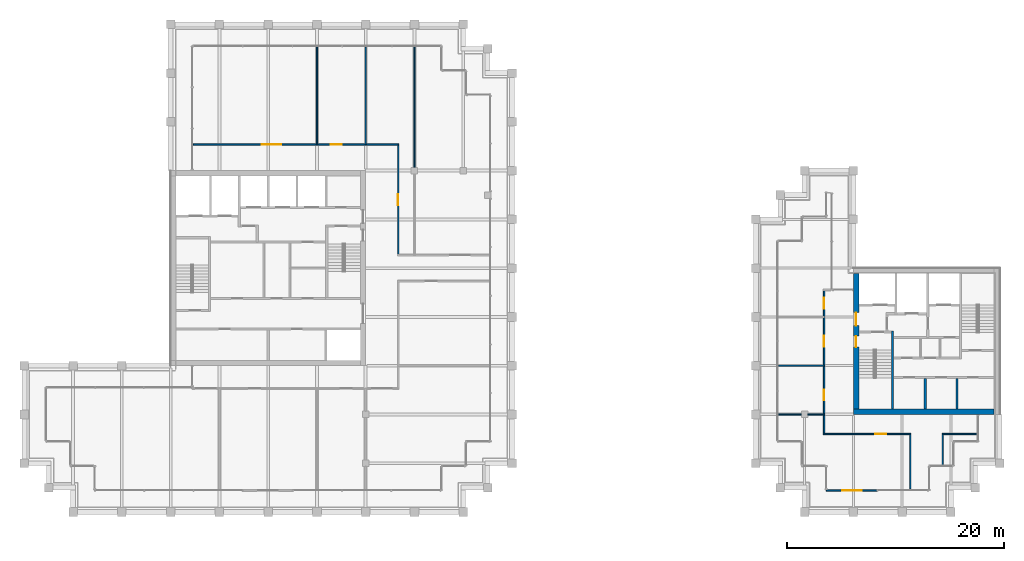
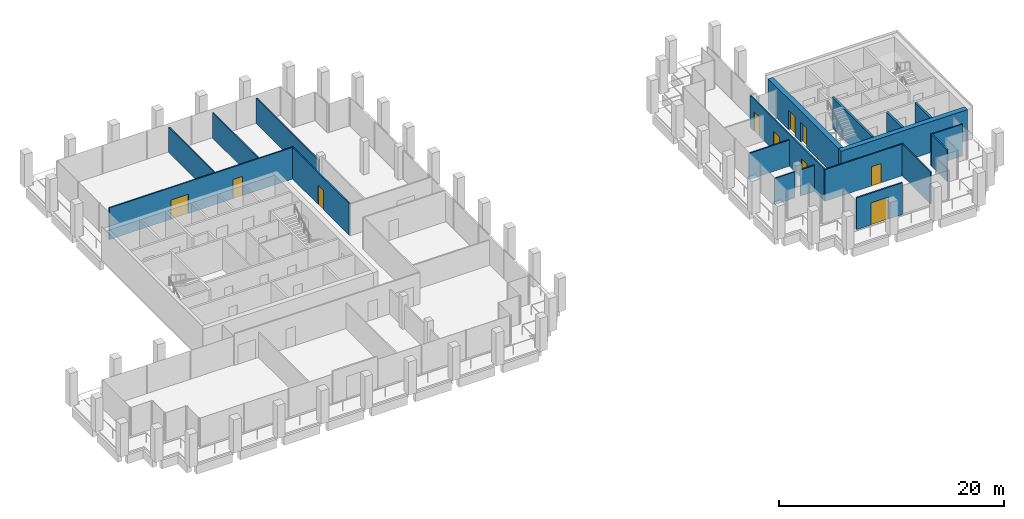
# One storey, part 37 of 40: 19 walls, 10 doors, 10 openings.
"""IFC4 building model written with IfcOpenShell, lengths in metres."""

import ifcopenshell
import ifcopenshell.guid

model = None  # the IFC model being written
_history = None  # IfcOwnerHistory: only IFC2X3 demands one
_inside = {}  # id of a spatial element -> (the spatial element, [elements in it])
_under = {}  # id of a project, library or spatial element -> (it, [spatial elements below it])
_declared = {}  # id of a project -> (the project, [libraries it declares])
_typed = {}  # id of a type object -> (the type object, [elements of that type])
_made_of = {}  # id of a material, layer set ... -> (it, [elements and type objects made of it])


def new_model(schema):
    """Start an empty IFC model of exactly this schema.

    Asked for "IFC4X3", IfcOpenShell would pick the latest addendum, in which some entities
    have other attributes; the version numbers below select the first issue.
    IFC2X3 requires an IfcOwnerHistory on every rooted entity: one is made here for all.
    """
    global model, _history
    if schema == "IFC4X3":
        model = ifcopenshell.file(schema_version=(4, 3, 0, 0))
    else:
        model = ifcopenshell.file(schema=schema)
    _inside.clear()
    _under.clear()
    _declared.clear()
    _typed.clear()
    _made_of.clear()
    _history = None
    if model.schema == "IFC2X3":
        org = make("IfcOrganization", Name="unknown")
        user = make(
            "IfcPersonAndOrganization",
            ThePerson=make("IfcPerson", FamilyName="unknown"),
            TheOrganization=org,
        )
        app = make(
            "IfcApplication",
            ApplicationDeveloper=org,
            Version="unknown",
            ApplicationFullName="unknown",
            ApplicationIdentifier="unknown",
        )
        _history = make(
            "IfcOwnerHistory",
            OwningUser=user,
            OwningApplication=app,
            ChangeAction="ADDED",
            CreationDate=0,
        )
    return model


def make(cls, **values):
    """One entity of the class cls with the attributes given. An attribute that is None is left unset."""
    return model.create_entity(
        cls, **{name: value for name, value in values.items() if value is not None}
    )


def rooted(cls, **values):
    """An entity with a GlobalId (a new one), such as an element, a storey or a relation."""
    return make(cls, GlobalId=ifcopenshell.guid.new(), OwnerHistory=_history, **values)


def si_unit(unit_type, name, prefix=None):
    """IfcSIUnit, for example si_unit("LENGTHUNIT", "METRE", prefix="MILLI")."""
    return make("IfcSIUnit", UnitType=unit_type, Prefix=prefix, Name=name)


def assignment(units):
    """IfcUnitAssignment: the units of a project."""
    return None if units is None else make("IfcUnitAssignment", Units=units)


def point(xyz):
    """IfcCartesianPoint."""
    return None if xyz is None else make("IfcCartesianPoint", Coordinates=xyz)


def direction(xyz):
    """IfcDirection."""
    return None if xyz is None else make("IfcDirection", DirectionRatios=xyz)


def frame(location, z_axis=None, x_axis=None):
    """IfcAxis2Placement3D, a coordinate frame: its origin and axes. An axis left out is left unset."""
    return make(
        "IfcAxis2Placement3D",
        Location=point(location),
        Axis=direction(z_axis),
        RefDirection=direction(x_axis),
    )


def frame_2d(location, x_axis=None):
    """IfcAxis2Placement2D, a coordinate frame in the plane: its origin and x axis."""
    return make(
        "IfcAxis2Placement2D", Location=point(location), RefDirection=direction(x_axis)
    )


def origin():
    """The frame at (0, 0, 0) with its axes left unset."""
    return frame((0.0, 0.0, 0.0))


def place(relative_to, where):
    """IfcLocalPlacement: puts the frame where relative to a parent placement (None: the world)."""
    return make(
        "IfcLocalPlacement", PlacementRelTo=relative_to, RelativePlacement=where
    )


def context(
    kind, dimensions, precision=None, world=None, true_north=None, identifier=None
):
    """IfcGeometricRepresentationContext, for example the 3D "Model" context."""
    return make(
        "IfcGeometricRepresentationContext",
        ContextIdentifier=identifier,
        ContextType=kind,
        CoordinateSpaceDimension=dimensions,
        Precision=precision,
        WorldCoordinateSystem=world,
        TrueNorth=true_north,
    )


def subcontext(parent, identifier, kind, view, scale=None):
    """IfcGeometricRepresentationSubContext, for example "Body" below "Model"."""
    return make(
        "IfcGeometricRepresentationSubContext",
        ContextIdentifier=identifier,
        ContextType=kind,
        ParentContext=parent,
        TargetScale=scale,
        TargetView=view,
    )


def project(units=None, contexts=None):
    """IfcProject with its units and contexts."""
    return rooted(
        "IfcProject",
        Name="project",
        RepresentationContexts=contexts,
        UnitsInContext=assignment(units),
    )


def spatial(cls, under=None, at=None, **own):
    """A site, building, storey or space (cls), placed at a placement, below another one or the project."""
    s = rooted(cls, ObjectPlacement=at, **own)
    if under is not None:
        _under.setdefault(under.id(), (under, []))[1].append(s)
    return s


def profile(cls, at=None, kind="AREA", **sizes):
    """A parametric profile (cls). Its sizes go by their IFC names, for example OverallWidth=200.0."""
    return make(cls, ProfileType=kind, Position=at, **sizes)


def rectangle(**sizes):
    """IfcRectangleProfileDef."""
    return profile("IfcRectangleProfileDef", **sizes)


def extrude(swept, where, along, depth):
    """IfcExtrudedAreaSolid: the profile swept, set in the frame where, extruded along a direction by depth."""
    return make(
        "IfcExtrudedAreaSolid",
        SweptArea=swept,
        Position=where,
        ExtrudedDirection=direction(along),
        Depth=depth,
    )


def shape(context_of_items, identifier, shape_type, items):
    """IfcShapeRepresentation: the items that make up one representation, for example the "Body"."""
    return make(
        "IfcShapeRepresentation",
        ContextOfItems=context_of_items,
        RepresentationIdentifier=identifier,
        RepresentationType=shape_type,
        Items=items,
    )


def material(Name=None, Category=None):
    """IfcMaterial."""
    return make("IfcMaterial", Name=Name, Category=Category)


def layer(
    of_material, thickness, ventilated=None, Name=None, Category=None, Priority=None
):
    """IfcMaterialLayer: one layer of a wall or slab, of a material (None: an air gap)."""
    return make(
        "IfcMaterialLayer",
        Material=of_material,
        LayerThickness=thickness,
        IsVentilated=ventilated,
        Name=Name,
        Category=Category,
        Priority=Priority,
    )


def layer_set(layers, Name=None):
    """IfcMaterialLayerSet."""
    return make("IfcMaterialLayerSet", MaterialLayers=layers, LayerSetName=Name)


def made_of(thing, what):
    """Note that an element or type object is made of a material, layer set ...; save() writes the relation."""
    if what is not None:
        _made_of.setdefault(what.id(), (what, []))[1].append(thing)
    return thing


def type_object(cls, material=None, **own):
    """A type object (cls), such as IfcWallType, which elements share."""
    return made_of(rooted(cls, **own), material)


def element(
    cls,
    number,
    at=None,
    inside=None,
    cuts=None,
    type_object=None,
    material=None,
    context=None,
    identifier="Body",
    shape_type=None,
    held_by="IfcProductDefinitionShape",
    body=None,
    shapes=None,
    **own,
):
    """One element of the class cls, such as IfcWall. Its Tag is "e" and its number.

    at: its placement. inside: the storey or other place that contains it. cuts: it is an
    opening in that element (IfcRelVoidsElement). A single representation is given by context,
    identifier, shape_type and body (its items); several are given by shapes. held_by: the class
    of the entity that holds the representations. save() writes the other relations.
    """
    e = rooted(cls, Tag="e%d" % number, ObjectPlacement=at, **own)
    if body is not None:
        shapes = [shape(context, identifier, shape_type, body)]
    if shapes is not None:
        e.Representation = make(held_by, Representations=shapes)
    if inside is not None:
        _inside.setdefault(inside.id(), (inside, []))[1].append(e)
    if cuts is not None:
        rooted(
            "IfcRelVoidsElement", RelatingBuildingElement=cuts, RelatedOpeningElement=e
        )
    if type_object is not None:
        _typed.setdefault(type_object.id(), (type_object, []))[1].append(e)
    return made_of(e, material)


def fill(opening, filler):
    """IfcRelFillsElement: the door or window that sits in an opening."""
    return rooted(
        "IfcRelFillsElement",
        RelatingOpeningElement=opening,
        RelatedBuildingElement=filler,
    )


def aggregate(whole, parts):
    """IfcRelAggregates: a whole, such as a stair, and the parts it consists of."""
    return rooted("IfcRelAggregates", RelatingObject=whole, RelatedObjects=parts)


def save(model, path):
    """Write the relations noted so far, then the file.

    IfcRelAggregates (storeys below a building ...), IfcRelContainedInSpatialStructure (elements
    in a storey), IfcRelDefinesByType, IfcRelAssociatesMaterial and IfcRelDeclares: one each for
    every whole, place, type object, material and project.
    """
    for whole, parts in _under.values():
        aggregate(whole, parts)
    for where, things in _inside.values():
        rooted(
            "IfcRelContainedInSpatialStructure",
            RelatedElements=things,
            RelatingStructure=where,
        )
    for kind, things in _typed.values():
        rooted("IfcRelDefinesByType", RelatedObjects=things, RelatingType=kind)
    for what, things in _made_of.values():
        rooted("IfcRelAssociatesMaterial", RelatedObjects=things, RelatingMaterial=what)
    for by, libraries in _declared.values():
        rooted("IfcRelDeclares", RelatingContext=by, RelatedDefinitions=libraries)
    model.write(path)


model = new_model("IFC4")

# Units and contexts
model_context = context("Model", 3, precision=1e-05, world=origin(), true_north=direction((0.0, 1.0)))
body_context = subcontext(model_context, "Body", "Model", "MODEL_VIEW")
ifc_project = project(units=[si_unit("LENGTHUNIT", "METRE"), si_unit("AREAUNIT", "SQUARE_METRE"), si_unit("VOLUMEUNIT", "CUBIC_METRE"), si_unit("PLANEANGLEUNIT", "RADIAN"), si_unit("MASSUNIT", "GRAM", prefix="KILO")], contexts=[model_context])

# Site, building, storey
site_placement = place(None, origin())
site = spatial("IfcSite", under=ifc_project, at=site_placement, CompositionType="ELEMENT")
building_placement = place(site_placement, origin())
building = spatial("IfcBuilding", under=site, at=building_placement, Name="Altepetl Exchange Towers", CompositionType="ELEMENT")
storey_placement = place(building_placement, frame((0.0, 0.0, 202.800048828125)))
storey = spatial("IfcBuildingStorey", under=building, at=storey_placement, Name="L51", CompositionType="ELEMENT", Elevation=202.800048828125)

# Wall
ifc_material_1 = material(Name="Concrete C70/85", Category="concrete")
ifc_layer_1 = layer(ifc_material_1, 0.5)
ifc_layer_set_1 = layer_set([ifc_layer_1], Name="Concrete C70/85")
wall_type_1 = type_object("IfcWallType", Name="Core wall 500 reinforced concrete", PredefinedType="SHEAR", material=ifc_layer_set_1)
wall_1_placement = place(storey_placement, frame((103.5, 36.25, 0.0)))
element("IfcWall", 1, at=wall_1_placement, inside=storey, type_object=wall_type_1, Name="wall:B:L51:K-coreS", PredefinedType="SHEAR", context=body_context, shape_type="SweptSolid", body=[
    extrude(rectangle(XDim=13.0, YDim=0.5, at=frame_2d((6.5, 0.0))), origin(), (0.0, 0.0, 1.0), 3.349853515625),
])

# Wall, openings, doors
wall_2_placement = place(storey_placement, frame((103.75, 36.5, 0.0), z_axis=(0.0, 0.0, 1.0), x_axis=(0.0, 1.0, 0.0)))
wall_2 = element("IfcWall", 2, at=wall_2_placement, inside=storey, type_object=wall_type_1, Name="wall:B:L51:K-coreW", PredefinedType="SHEAR", context=body_context, shape_type="SweptSolid", body=[
    extrude(rectangle(XDim=12.5, YDim=0.5, at=frame_2d((6.25, 0.0))), origin(), (0.0, 0.0, 1.0), 3.349853515625),
])
opening_1_placement = place(wall_2_placement, frame((7.699951171875, 0.0, 0.0)))
opening_1 = element("IfcOpeningElement", 3, at=opening_1_placement, cuts=wall_2, Name="Opening L51.B60", PredefinedType="OPENING", context=body_context, shape_type="SweptSolid", body=[
    extrude(rectangle(XDim=1.199951171875, YDim=2.10009765625, at=frame_2d((0.60009765625, 1.050048828125))), frame((0.0, 0.260009765625, 0.0), z_axis=(0.0, -1.0, 0.0), x_axis=(1.0, 0.0, 0.0)), (0.0, 0.0, 1.0), 0.52001953125),
])
opening_2_placement = place(wall_2_placement, frame((5.72509765625, 0.0, 0.0)))
opening_2 = element("IfcOpeningElement", 4, at=opening_2_placement, cuts=wall_2, Name="Opening L51.B62", PredefinedType="OPENING", context=body_context, shape_type="SweptSolid", body=[
    extrude(rectangle(XDim=1.0, YDim=2.10009765625, at=frame_2d((0.5, 1.050048828125))), frame((0.0, 0.260009765625, 0.0), z_axis=(0.0, -1.0, 0.0), x_axis=(1.0, 0.0, 0.0)), (0.0, 0.0, 1.0), 0.52001953125),
])
ifc_material_2 = material(Name="Steel and timber fire door", Category="steel")
door_type_1 = type_object("IfcDoorType", Name="Fire door 1000 x 2100 stair and lobby", OperationType="SINGLE_SWING_LEFT", PredefinedType="DOOR", material=ifc_material_2)
door_1_placement = place(opening_2_placement, frame((1.0, 0.0, 0.0), x_axis=(-1.0, 0.0, 0.0)))
door_1 = element("IfcDoor", 5, at=door_1_placement, inside=storey, type_object=door_type_1, Name="door:B:L51:K-dS1x", OperationType="SINGLE_SWING_RIGHT", OverallHeight=2.10009765625, OverallWidth=1.0, PredefinedType="DOOR", context=body_context, shape_type="SweptSolid", body=[
    extrude(rectangle(XDim=1.0, YDim=2.10009765625, at=frame_2d((0.5, 1.050048828125))), frame((0.0, 0.02490234375, 0.0), z_axis=(0.0, -1.0, 0.0), x_axis=(1.0, 0.0, 0.0)), (0.0, 0.0, 1.0), 0.050048828125),
])
fill(opening_2, door_1)
door_type_2 = type_object("IfcDoorType", Name="Fire door 1200 x 2100 lobby entry", OperationType="SINGLE_SWING_LEFT", PredefinedType="DOOR", material=ifc_material_2)
door_2_placement = place(opening_1_placement, frame((1.199951171875, 0.0, 0.0), x_axis=(-1.0, 0.0, 0.0)))
door_2 = element("IfcDoor", 6, at=door_2_placement, inside=storey, type_object=door_type_2, Name="door:B:L51:K-dLNW", OperationType="SINGLE_SWING_RIGHT", OverallHeight=2.10009765625, OverallWidth=1.199951171875, PredefinedType="DOOR", context=body_context, shape_type="SweptSolid", body=[
    extrude(rectangle(XDim=1.199951171875, YDim=2.10009765625, at=frame_2d((0.60009765625, 1.050048828125))), frame((0.0, 0.02490234375, 0.0), z_axis=(0.0, -1.0, 0.0), x_axis=(1.0, 0.0, 0.0)), (0.0, 0.0, 1.0), 0.050048828125),
])
fill(opening_1, door_2)

# Wall, opening, door
ifc_material_3 = material(Name="Aluminium composite cladding", Category="aluminium")
ifc_layer_2 = layer(ifc_material_3, 0.14990234375)
ifc_layer_set_2 = layer_set([ifc_layer_2], Name="Aluminium composite cladding")
wall_type_2 = type_object("IfcWallType", Name="Infill wall 150 aluminium panel", PredefinedType="SOLIDWALL", material=ifc_layer_set_2)
wall_3_placement = place(storey_placement, frame((101.0, 29.0, 0.0)))
wall_3 = element("IfcWall", 7, at=wall_3_placement, inside=storey, type_object=wall_type_2, Name="Loggia door bay wall", PredefinedType="SOLIDWALL", context=body_context, shape_type="SweptSolid", body=[
    extrude(rectangle(XDim=4.71240234375, YDim=0.14990234375, at=frame_2d((2.356201171875, 0.0))), origin(), (0.0, 0.0, 1.0), 3.449951171875),
])
opening_3_placement = place(wall_3_placement, frame((1.456298828125, 0.0, 0.0)))
opening_3 = element("IfcOpeningElement", 8, at=opening_3_placement, cuts=wall_3, Name="Opening L51.B90", PredefinedType="OPENING", context=body_context, shape_type="SweptSolid", body=[
    extrude(rectangle(XDim=1.800048828125, YDim=2.39990234375, at=frame_2d((0.89990234375, 1.199951171875))), frame((0.0, 0.0849609375, 0.0), z_axis=(0.0, -1.0, 0.0), x_axis=(1.0, 0.0, 0.0)), (0.0, 0.0, 1.0), 0.169921875),
])
ifc_material_4 = material(Name="Aluminium 6063-T6 and glass", Category="aluminium")
door_type_3 = type_object("IfcDoorType", Name="Glazed door pair 1800x2400", OperationType="DOUBLE_DOOR_DOUBLE_SWING", PredefinedType="NOTDEFINED", material=ifc_material_4)
door_3_placement = place(opening_3_placement, frame((1.800048828125, 0.0, 0.0), x_axis=(-1.0, 0.0, 0.0)))
door_3 = element("IfcDoor", 9, at=door_3_placement, inside=storey, type_object=door_type_3, Name="Loggia door", OperationType="DOUBLE_DOOR_DOUBLE_SWING", OverallHeight=2.39990234375, OverallWidth=1.800048828125, PredefinedType="NOTDEFINED", context=body_context, shape_type="SweptSolid", body=[
    extrude(rectangle(XDim=1.800048828125, YDim=2.39990234375, at=frame_2d((0.89990234375, 1.199951171875))), frame((0.0, 0.02490234375, 0.0), z_axis=(0.0, -1.0, 0.0), x_axis=(1.0, 0.0, 0.0)), (0.0, 0.0, 1.0), 0.050048828125),
])
fill(opening_3, door_3)

# Wall, openings, doors
ifc_material_5 = material(Name="Gypsum board on steel studs", Category="steel")
ifc_layer_3 = layer(ifc_material_5, 0.125)
ifc_layer_set_3 = layer_set([ifc_layer_3], Name="Gypsum board on steel studs")
wall_type_3 = type_object("IfcWallType", Name="Partition 125 gypsum board on steel studs", PredefinedType="PARTITIONING", material=ifc_layer_set_3)
wall_4_placement = place(storey_placement, frame((42.60009765625, 60.89990234375, 0.0)))
wall_4 = element("IfcWall", 10, at=wall_4_placement, inside=storey, type_object=wall_type_3, Name="wall:A:L51:P05", PredefinedType="PARTITIONING", context=body_context, shape_type="SweptSolid", body=[
    extrude(rectangle(XDim=18.96240234375, YDim=0.125, at=frame_2d((9.481201171875, 0.0))), origin(), (0.0, 0.0, 1.0), 3.449951171875),
])
opening_4_placement = place(wall_4_placement, frame((12.695068359375, 0.0, 0.0)))
opening_4 = element("IfcOpeningElement", 11, at=opening_4_placement, cuts=wall_4, Name="Opening L51.A08", PredefinedType="OPENING", context=body_context, shape_type="SweptSolid", body=[
    extrude(rectangle(XDim=1.0, YDim=2.10009765625, at=frame_2d((0.5, 1.050048828125))), frame((0.0, 0.072509765625, 0.0), z_axis=(0.0, -1.0, 0.0), x_axis=(1.0, 0.0, 0.0)), (0.0, 0.0, 1.0), 0.14501953125),
])
opening_5_placement = place(wall_4_placement, frame((6.322021484375, 0.0, 0.0)))
opening_5 = element("IfcOpeningElement", 12, at=opening_5_placement, cuts=wall_4, Name="Opening L51.A09", PredefinedType="OPENING", context=body_context, shape_type="SweptSolid", body=[
    extrude(rectangle(XDim=1.800048828125, YDim=2.10009765625, at=frame_2d((0.89990234375, 1.050048828125))), frame((0.0, 0.072509765625, 0.0), z_axis=(0.0, -1.0, 0.0), x_axis=(1.0, 0.0, 0.0)), (0.0, 0.0, 1.0), 0.14501953125),
])
door_type_4 = type_object("IfcDoorType", Name="Fire door 1000 x 2100 single leaf", OperationType="SINGLE_SWING_LEFT", PredefinedType="DOOR", material=ifc_material_2)
door_4_placement = place(opening_4_placement, origin())
door_4 = element("IfcDoor", 13, at=door_4_placement, inside=storey, type_object=door_type_4, Name="door:A:L51:08", OperationType="SINGLE_SWING_LEFT", OverallHeight=2.10009765625, OverallWidth=1.0, PredefinedType="DOOR", context=body_context, shape_type="SweptSolid", body=[
    extrude(rectangle(XDim=1.0, YDim=2.10009765625, at=frame_2d((0.5, 1.050048828125))), frame((0.0, 0.02490234375, 0.0), z_axis=(0.0, -1.0, 0.0), x_axis=(1.0, 0.0, 0.0)), (0.0, 0.0, 1.0), 0.050048828125),
])
fill(opening_4, door_4)
door_type_5 = type_object("IfcDoorType", Name="Fire door 1800 x 2100 double leaf", OperationType="DOUBLE_DOOR_SINGLE_SWING", PredefinedType="DOOR", material=ifc_material_2)
door_5_placement = place(opening_5_placement, origin())
door_5 = element("IfcDoor", 14, at=door_5_placement, inside=storey, type_object=door_type_5, Name="door:A:L51:09", OperationType="DOUBLE_DOOR_SINGLE_SWING", OverallHeight=2.10009765625, OverallWidth=1.800048828125, PredefinedType="DOOR", context=body_context, shape_type="SweptSolid", body=[
    extrude(rectangle(XDim=1.800048828125, YDim=2.10009765625, at=frame_2d((0.89990234375, 1.050048828125))), frame((0.0, 0.02490234375, 0.0), z_axis=(0.0, -1.0, 0.0), x_axis=(1.0, 0.0, 0.0)), (0.0, 0.0, 1.0), 0.050048828125),
])
fill(opening_5, door_5)

# Walls
for number, where, z_axis, x_axis, name in (
    (15, (54.0, 60.89990234375, 0.0), (0.0, 0.0, 1.0), (0.0, 1.0, 0.0), "wall:A:L51:P08"),
    (16, (58.5, 60.89990234375, 0.0), (0.0, 0.0, 1.0), (0.0, 1.0, 0.0), "wall:A:L51:P12"),
):
    element("IfcWall", number, at=place(storey_placement, frame(where, z_axis=z_axis, x_axis=x_axis)), inside=storey, type_object=wall_type_3, Name=name, PredefinedType="PARTITIONING", context=body_context, shape_type="SweptSolid", body=[
        extrude(rectangle(XDim=9.0, YDim=0.125, at=frame_2d((4.5, 0.0))), origin(), (0.0, 0.0, 1.0), 2.77197265625),
    ])

# Wall, opening, door
wall_5_placement = place(storey_placement, frame((61.5, 50.762451171875, 0.0), z_axis=(0.0, 0.0, 1.0), x_axis=(0.0, 1.0, 0.0)))
wall_5 = element("IfcWall", 17, at=wall_5_placement, inside=storey, type_object=wall_type_3, Name="wall:A:L51:P14", PredefinedType="PARTITIONING", context=body_context, shape_type="SweptSolid", body=[
    extrude(rectangle(XDim=10.074951171875, YDim=0.125, at=frame_2d((5.03759765625, 0.0))), origin(), (0.0, 0.0, 1.0), 3.449951171875),
])
opening_6_placement = place(wall_5_placement, frame((4.53759765625, 0.0, 0.0)))
opening_6 = element("IfcOpeningElement", 18, at=opening_6_placement, cuts=wall_5, Name="Opening L51.A07", PredefinedType="OPENING", context=body_context, shape_type="SweptSolid", body=[
    extrude(rectangle(XDim=1.0, YDim=2.10009765625, at=frame_2d((0.5, 1.050048828125))), frame((0.0, 0.072509765625, 0.0), z_axis=(0.0, -1.0, 0.0), x_axis=(1.0, 0.0, 0.0)), (0.0, 0.0, 1.0), 0.14501953125),
])
door_6_placement = place(opening_6_placement, frame((1.0, 0.0, 0.0), x_axis=(-1.0, 0.0, 0.0)))
door_6 = element("IfcDoor", 19, at=door_6_placement, inside=storey, type_object=door_type_4, Name="door:A:L51:07", OperationType="SINGLE_SWING_RIGHT", OverallHeight=2.10009765625, OverallWidth=1.0, PredefinedType="DOOR", context=body_context, shape_type="SweptSolid", body=[
    extrude(rectangle(XDim=1.0, YDim=2.10009765625, at=frame_2d((0.5, 1.050048828125))), frame((0.0, 0.02490234375, 0.0), z_axis=(0.0, -1.0, 0.0), x_axis=(1.0, 0.0, 0.0)), (0.0, 0.0, 1.0), 0.050048828125),
])
fill(opening_6, door_6)

# Wall
wall_6_placement = place(storey_placement, frame((63.0, 58.800048828125, 0.0), z_axis=(0.0, 0.0, 1.0), x_axis=(0.0, 1.0, 0.0)))
element("IfcWall", 20, at=wall_6_placement, inside=storey, type_object=wall_type_3, Name="wall:A:L51:P16", PredefinedType="PARTITIONING", context=body_context, shape_type="SweptSolid", body=[
    extrude(rectangle(XDim=11.099853515625, YDim=0.125, at=frame_2d((5.5498046875, 0.0))), origin(), (0.0, 0.0, 1.0), 2.77197265625),
])

# Wall, opening, door
wall_7_placement = place(storey_placement, frame((100.737548828125, 34.199951171875, 0.0)))
wall_7 = element("IfcWall", 21, at=wall_7_placement, inside=storey, type_object=wall_type_3, Name="wall:B:L51:P01", PredefinedType="PARTITIONING", context=body_context, shape_type="SweptSolid", body=[
    extrude(rectangle(XDim=8.074951171875, YDim=0.125, at=frame_2d((4.03759765625, 0.0))), origin(), (0.0, 0.0, 1.0), 3.449951171875),
])
opening_7_placement = place(wall_7_placement, frame((4.79150390625, 0.0, 0.0)))
opening_7 = element("IfcOpeningElement", 22, at=opening_7_placement, cuts=wall_7, Name="Opening L51.B03", PredefinedType="OPENING", context=body_context, shape_type="SweptSolid", body=[
    extrude(rectangle(XDim=1.0, YDim=2.10009765625, at=frame_2d((0.5, 1.050048828125))), frame((0.0, 0.072509765625, 0.0), z_axis=(0.0, -1.0, 0.0), x_axis=(1.0, 0.0, 0.0)), (0.0, 0.0, 1.0), 0.14501953125),
])
door_7_placement = place(opening_7_placement, frame((1.0, 0.0, 0.0), x_axis=(-1.0, 0.0, 0.0)))
door_7 = element("IfcDoor", 23, at=door_7_placement, inside=storey, type_object=door_type_4, Name="door:B:L51:03", OperationType="SINGLE_SWING_LEFT", OverallHeight=2.10009765625, OverallWidth=1.0, PredefinedType="DOOR", context=body_context, shape_type="SweptSolid", body=[
    extrude(rectangle(XDim=1.0, YDim=2.10009765625, at=frame_2d((0.5, 1.050048828125))), frame((0.0, 0.02490234375, 0.0), z_axis=(0.0, -1.0, 0.0), x_axis=(1.0, 0.0, 0.0)), (0.0, 0.0, 1.0), 0.050048828125),
])
fill(opening_7, door_7)

# Walls
wall_8_placement = place(storey_placement, frame((111.6875, 34.199951171875, 0.0)))
element("IfcWall", 24, at=wall_8_placement, inside=storey, type_object=wall_type_3, Name="wall:B:L51:P02", PredefinedType="PARTITIONING", context=body_context, shape_type="SweptSolid", body=[
    extrude(rectangle(XDim=3.21240234375, YDim=0.125, at=frame_2d((1.606201171875, 0.0))), origin(), (0.0, 0.0, 1.0), 3.449951171875),
])
wall_9_placement = place(storey_placement, frame((96.60009765625, 36.0, 0.0)))
element("IfcWall", 25, at=wall_9_placement, inside=storey, type_object=wall_type_3, Name="wall:B:L51:P03", PredefinedType="PARTITIONING", context=body_context, shape_type="SweptSolid", body=[
    extrude(rectangle(XDim=2.099853515625, YDim=0.125, at=frame_2d((1.0498046875, 0.0))), origin(), (0.0, 0.0, 1.0), 2.842041015625),
])
wall_10_placement = place(storey_placement, frame((99.300048828125, 36.0, 0.0)))
element("IfcWall", 26, at=wall_10_placement, inside=storey, type_object=wall_type_3, Name="wall:B:L51:P04", PredefinedType="PARTITIONING", context=body_context, shape_type="SweptSolid", body=[
    extrude(rectangle(XDim=1.5, YDim=0.125, at=frame_2d((0.75, 0.0))), origin(), (0.0, 0.0, 1.0), 2.842041015625),
])
wall_11_placement = place(storey_placement, frame((96.60009765625, 40.5, 0.0)))
element("IfcWall", 27, at=wall_11_placement, inside=storey, type_object=wall_type_3, Name="wall:B:L51:P05", PredefinedType="PARTITIONING", context=body_context, shape_type="SweptSolid", body=[
    extrude(rectangle(XDim=4.199951171875, YDim=0.125, at=frame_2d((2.10009765625, 0.0))), origin(), (0.0, 0.0, 1.0), 2.850830078125),
])

# Wall, openings, doors
wall_12_placement = place(storey_placement, frame((100.800048828125, 34.262451171875, 0.0), z_axis=(0.0, 0.0, 1.0), x_axis=(0.0, 1.0, 0.0)))
wall_12 = element("IfcWall", 28, at=wall_12_placement, inside=storey, type_object=wall_type_3, Name="wall:B:L51:P08", PredefinedType="PARTITIONING", context=body_context, shape_type="SweptSolid", body=[
    extrude(rectangle(XDim=13.175048828125, YDim=0.125, at=frame_2d((6.58740234375, 0.0))), origin(), (0.0, 0.0, 1.0), 3.449951171875),
])
opening_8_placement = place(wall_12_placement, frame((7.987548828125, 0.0, 0.0)))
opening_8 = element("IfcOpeningElement", 29, at=opening_8_placement, cuts=wall_12, Name="Opening L51.B01", PredefinedType="OPENING", context=body_context, shape_type="SweptSolid", body=[
    extrude(rectangle(XDim=1.0, YDim=2.10009765625, at=frame_2d((0.5, 1.050048828125))), frame((0.0, 0.072509765625, 0.0), z_axis=(0.0, -1.0, 0.0), x_axis=(1.0, 0.0, 0.0)), (0.0, 0.0, 1.0), 0.14501953125),
])
opening_9_placement = place(wall_12_placement, frame((3.032470703125, 0.0, 0.0)))
opening_9 = element("IfcOpeningElement", 30, at=opening_9_placement, cuts=wall_12, Name="Opening L51.B02", PredefinedType="OPENING", context=body_context, shape_type="SweptSolid", body=[
    extrude(rectangle(XDim=1.0, YDim=2.10009765625, at=frame_2d((0.5, 1.050048828125))), frame((0.0, 0.072509765625, 0.0), z_axis=(0.0, -1.0, 0.0), x_axis=(1.0, 0.0, 0.0)), (0.0, 0.0, 1.0), 0.14501953125),
])
opening_10_placement = place(wall_12_placement, frame((11.487548828125, 0.0, 0.0)))
opening_10 = element("IfcOpeningElement", 31, at=opening_10_placement, cuts=wall_12, Name="Opening L51.B04", PredefinedType="OPENING", context=body_context, shape_type="SweptSolid", body=[
    extrude(rectangle(XDim=1.0, YDim=2.10009765625, at=frame_2d((0.5, 1.050048828125))), frame((0.0, 0.072509765625, 0.0), z_axis=(0.0, -1.0, 0.0), x_axis=(1.0, 0.0, 0.0)), (0.0, 0.0, 1.0), 0.14501953125),
])
door_8_placement = place(opening_8_placement, origin())
door_8 = element("IfcDoor", 32, at=door_8_placement, inside=storey, type_object=door_type_4, Name="door:B:L51:01", OperationType="SINGLE_SWING_RIGHT", OverallHeight=2.10009765625, OverallWidth=1.0, PredefinedType="DOOR", context=body_context, shape_type="SweptSolid", body=[
    extrude(rectangle(XDim=1.0, YDim=2.10009765625, at=frame_2d((0.5, 1.050048828125))), frame((0.0, 0.02490234375, 0.0), z_axis=(0.0, -1.0, 0.0), x_axis=(1.0, 0.0, 0.0)), (0.0, 0.0, 1.0), 0.050048828125),
])
fill(opening_8, door_8)
door_9_placement = place(opening_9_placement, origin())
door_9 = element("IfcDoor", 33, at=door_9_placement, inside=storey, type_object=door_type_4, Name="door:B:L51:02", OperationType="SINGLE_SWING_LEFT", OverallHeight=2.10009765625, OverallWidth=1.0, PredefinedType="DOOR", context=body_context, shape_type="SweptSolid", body=[
    extrude(rectangle(XDim=1.0, YDim=2.10009765625, at=frame_2d((0.5, 1.050048828125))), frame((0.0, 0.02490234375, 0.0), z_axis=(0.0, -1.0, 0.0), x_axis=(1.0, 0.0, 0.0)), (0.0, 0.0, 1.0), 0.050048828125),
])
fill(opening_9, door_9)
door_10_placement = place(opening_10_placement, origin())
door_10 = element("IfcDoor", 34, at=door_10_placement, inside=storey, type_object=door_type_4, Name="door:B:L51:04", OperationType="SINGLE_SWING_LEFT", OverallHeight=2.10009765625, OverallWidth=1.0, PredefinedType="DOOR", context=body_context, shape_type="SweptSolid", body=[
    extrude(rectangle(XDim=1.0, YDim=2.10009765625, at=frame_2d((0.5, 1.050048828125))), frame((0.0, 0.02490234375, 0.0), z_axis=(0.0, -1.0, 0.0), x_axis=(1.0, 0.0, 0.0)), (0.0, 0.0, 1.0), 0.050048828125),
])
fill(opening_10, door_10)

# Walls
wall_13_placement = place(storey_placement, frame((108.75, 29.10009765625, 0.0), z_axis=(0.0, 0.0, 1.0), x_axis=(0.0, 1.0, 0.0)))
element("IfcWall", 35, at=wall_13_placement, inside=storey, type_object=wall_type_3, Name="wall:B:L51:P09", PredefinedType="PARTITIONING", context=body_context, shape_type="SweptSolid", body=[
    extrude(rectangle(XDim=5.037353515625, YDim=0.125, at=frame_2d((2.5185546875, 0.0))), origin(), (0.0, 0.0, 1.0), 3.449951171875),
])
wall_14_placement = place(storey_placement, frame((111.75, 31.35009765625, 0.0), z_axis=(0.0, 0.0, 1.0), x_axis=(0.0, 1.0, 0.0)))
element("IfcWall", 36, at=wall_14_placement, inside=storey, type_object=wall_type_3, Name="wall:B:L51:P10", PredefinedType="PARTITIONING", context=body_context, shape_type="SweptSolid", body=[
    extrude(rectangle(XDim=2.787353515625, YDim=0.125, at=frame_2d((1.3935546875, 0.0))), origin(), (0.0, 0.0, 1.0), 3.449951171875),
])
ifc_layer_4 = layer(ifc_material_1, 0.199951171875)
ifc_layer_set_4 = layer_set([ifc_layer_4], Name="Concrete C70/85")
wall_type_4 = type_object("IfcWallType", Name="Shear wall 200 reinforced concrete", PredefinedType="SHEAR", material=ifc_layer_set_4)
for number, where, z_axis, x_axis, name in (
    (37, (110.13330078125, 36.5, 0.0), (0.0, 0.0, 1.0), (0.0, 1.0, 0.0), "wall:B:L51:K-divS1"),
    (38, (113.066650390625, 36.5, 0.0), (0.0, 0.0, 1.0), (0.0, 1.0, 0.0), "wall:B:L51:K-divS2"),
):
    element("IfcWall", number, at=place(storey_placement, frame(where, z_axis=z_axis, x_axis=x_axis)), inside=storey, type_object=wall_type_4, Name=name, PredefinedType="SHEAR", context=body_context, shape_type="SweptSolid", body=[
        extrude(rectangle(XDim=2.800048828125, YDim=0.199951171875, at=frame_2d((1.39990234375, 0.0))), origin(), (0.0, 0.0, 1.0), 3.349853515625),
    ])
ifc_material_6 = material(Name="Concrete C40/50", Category="concrete")
ifc_layer_5 = layer(ifc_material_6, 0.199951171875)
ifc_layer_set_5 = layer_set([ifc_layer_5], Name="Concrete C40/50")
wall_type_5 = type_object("IfcWallType", Name="Stair wall 200 reinforced concrete", PredefinedType="SHEAR", material=ifc_layer_set_5)
wall_15_placement = place(storey_placement, frame((107.10009765625, 36.5, 0.0), z_axis=(0.0, 0.0, 1.0), x_axis=(0.0, 1.0, 0.0)))
element("IfcWall", 39, at=wall_15_placement, inside=storey, type_object=wall_type_5, Name="wall:B:L51:K-stS1E", PredefinedType="SHEAR", context=body_context, shape_type="SweptSolid", body=[
    extrude(rectangle(XDim=7.199951171875, YDim=0.199951171875, at=frame_2d((3.60009765625, 0.0))), origin(), (0.0, 0.0, 1.0), 3.349853515625),
])

save(model, "model.ifc")
